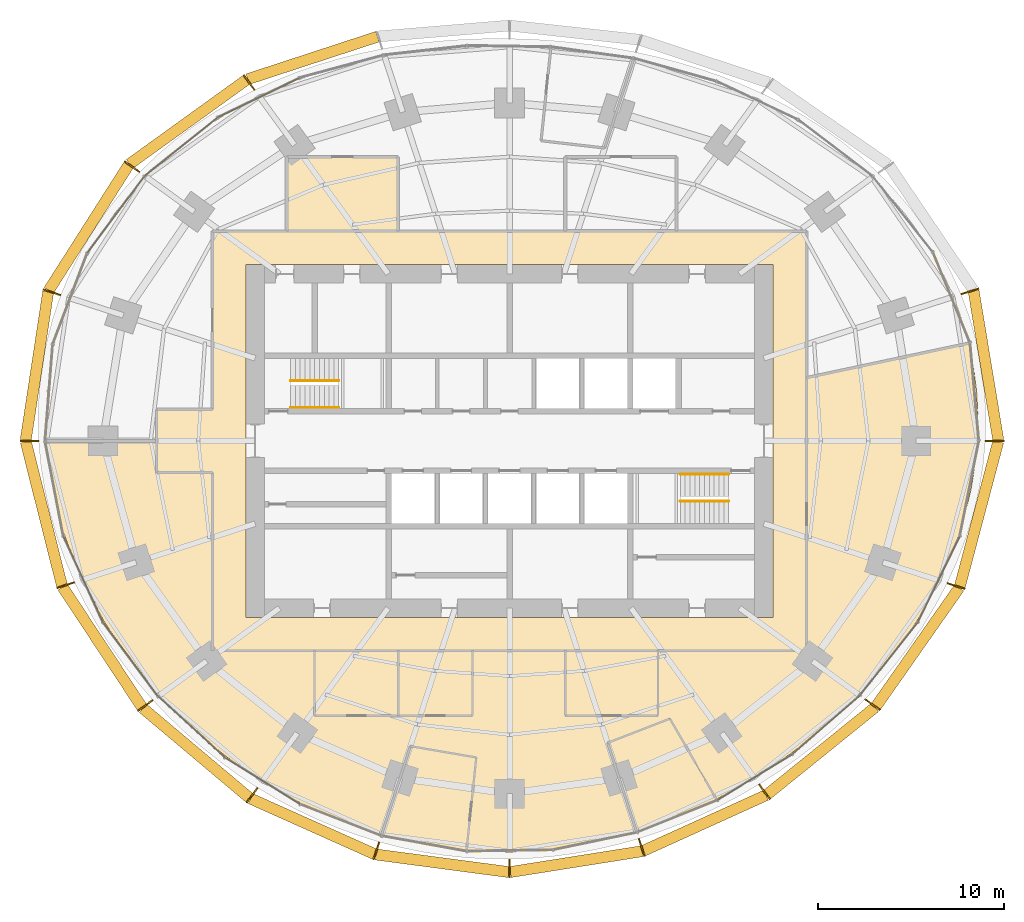
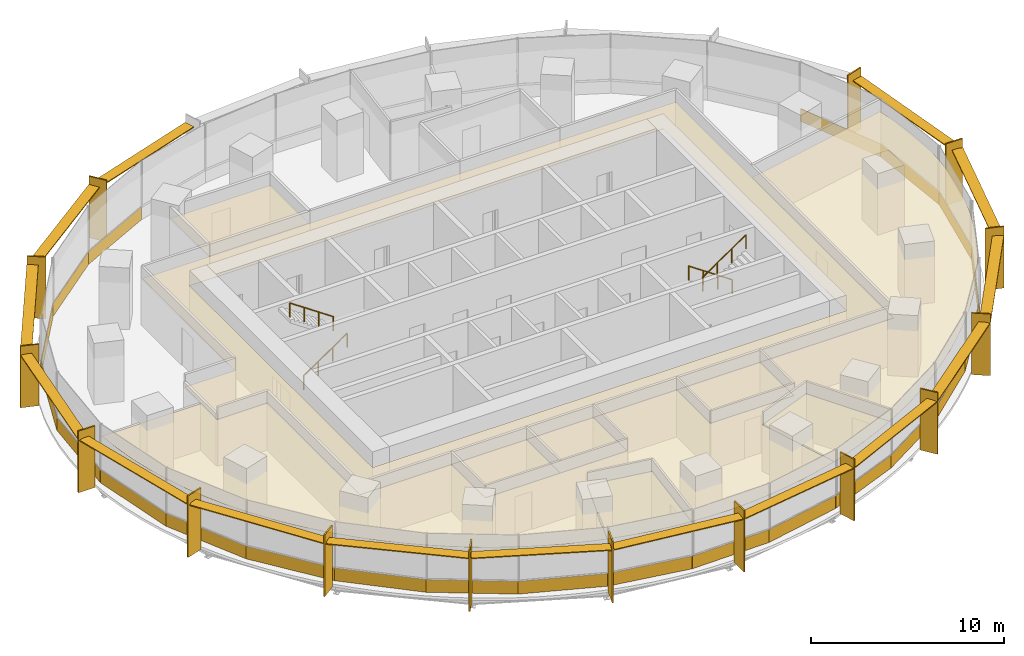
# One storey, part 13 of 14: 30 coverings, 30 shading devices, 4 railings.
"""IFC4 building model written with IfcOpenShell, lengths in metres."""

import ifcopenshell
import ifcopenshell.guid

model = None  # the IFC model being written
_history = None  # IfcOwnerHistory: only IFC2X3 demands one
_inside = {}  # id of a spatial element -> (the spatial element, [elements in it])
_under = {}  # id of a project, library or spatial element -> (it, [spatial elements below it])
_declared = {}  # id of a project -> (the project, [libraries it declares])
_typed = {}  # id of a type object -> (the type object, [elements of that type])
_made_of = {}  # id of a material, layer set ... -> (it, [elements and type objects made of it])


def new_model(schema):
    """Start an empty IFC model of exactly this schema.

    Asked for "IFC4X3", IfcOpenShell would pick the latest addendum, in which some entities
    have other attributes; the version numbers below select the first issue.
    IFC2X3 requires an IfcOwnerHistory on every rooted entity: one is made here for all.
    """
    global model, _history
    if schema == "IFC4X3":
        model = ifcopenshell.file(schema_version=(4, 3, 0, 0))
    else:
        model = ifcopenshell.file(schema=schema)
    _inside.clear()
    _under.clear()
    _declared.clear()
    _typed.clear()
    _made_of.clear()
    _history = None
    if model.schema == "IFC2X3":
        org = make("IfcOrganization", Name="unknown")
        user = make(
            "IfcPersonAndOrganization",
            ThePerson=make("IfcPerson", FamilyName="unknown"),
            TheOrganization=org,
        )
        app = make(
            "IfcApplication",
            ApplicationDeveloper=org,
            Version="unknown",
            ApplicationFullName="unknown",
            ApplicationIdentifier="unknown",
        )
        _history = make(
            "IfcOwnerHistory",
            OwningUser=user,
            OwningApplication=app,
            ChangeAction="ADDED",
            CreationDate=0,
        )
    return model


def make(cls, **values):
    """One entity of the class cls with the attributes given. An attribute that is None is left unset."""
    return model.create_entity(
        cls, **{name: value for name, value in values.items() if value is not None}
    )


def rooted(cls, **values):
    """An entity with a GlobalId (a new one), such as an element, a storey or a relation."""
    return make(cls, GlobalId=ifcopenshell.guid.new(), OwnerHistory=_history, **values)


def si_unit(unit_type, name, prefix=None):
    """IfcSIUnit, for example si_unit("LENGTHUNIT", "METRE", prefix="MILLI")."""
    return make("IfcSIUnit", UnitType=unit_type, Prefix=prefix, Name=name)


def assignment(units):
    """IfcUnitAssignment: the units of a project."""
    return None if units is None else make("IfcUnitAssignment", Units=units)


def point(xyz):
    """IfcCartesianPoint."""
    return None if xyz is None else make("IfcCartesianPoint", Coordinates=xyz)


def direction(xyz):
    """IfcDirection."""
    return None if xyz is None else make("IfcDirection", DirectionRatios=xyz)


def frame(location, z_axis=None, x_axis=None):
    """IfcAxis2Placement3D, a coordinate frame: its origin and axes. An axis left out is left unset."""
    return make(
        "IfcAxis2Placement3D",
        Location=point(location),
        Axis=direction(z_axis),
        RefDirection=direction(x_axis),
    )


def frame_2d(location, x_axis=None):
    """IfcAxis2Placement2D, a coordinate frame in the plane: its origin and x axis."""
    return make(
        "IfcAxis2Placement2D", Location=point(location), RefDirection=direction(x_axis)
    )


def origin():
    """The frame at (0, 0, 0) with its axes left unset."""
    return frame((0.0, 0.0, 0.0))


def origin_2d():
    """The frame at (0, 0) in the plane with its x axis left unset."""
    return frame_2d((0.0, 0.0))


def place(relative_to, where):
    """IfcLocalPlacement: puts the frame where relative to a parent placement (None: the world)."""
    return make(
        "IfcLocalPlacement", PlacementRelTo=relative_to, RelativePlacement=where
    )


def context(
    kind, dimensions, precision=None, world=None, true_north=None, identifier=None
):
    """IfcGeometricRepresentationContext, for example the 3D "Model" context."""
    return make(
        "IfcGeometricRepresentationContext",
        ContextIdentifier=identifier,
        ContextType=kind,
        CoordinateSpaceDimension=dimensions,
        Precision=precision,
        WorldCoordinateSystem=world,
        TrueNorth=true_north,
    )


def subcontext(parent, identifier, kind, view, scale=None):
    """IfcGeometricRepresentationSubContext, for example "Body" below "Model"."""
    return make(
        "IfcGeometricRepresentationSubContext",
        ContextIdentifier=identifier,
        ContextType=kind,
        ParentContext=parent,
        TargetScale=scale,
        TargetView=view,
    )


def project(units=None, contexts=None):
    """IfcProject with its units and contexts."""
    return rooted(
        "IfcProject",
        Name="project",
        RepresentationContexts=contexts,
        UnitsInContext=assignment(units),
    )


def spatial(cls, under=None, at=None, **own):
    """A site, building, storey or space (cls), placed at a placement, below another one or the project."""
    s = rooted(cls, ObjectPlacement=at, **own)
    if under is not None:
        _under.setdefault(under.id(), (under, []))[1].append(s)
    return s


def polyline(points):
    """IfcPolyline through the points."""
    return make("IfcPolyline", Points=[point(p) for p in points])


def profile(cls, at=None, kind="AREA", **sizes):
    """A parametric profile (cls). Its sizes go by their IFC names, for example OverallWidth=200.0."""
    return make(cls, ProfileType=kind, Position=at, **sizes)


def rectangle(**sizes):
    """IfcRectangleProfileDef."""
    return profile("IfcRectangleProfileDef", **sizes)


def circle(**sizes):
    """IfcCircleProfileDef."""
    return profile("IfcCircleProfileDef", **sizes)


def outline(outer, holes=None, kind="AREA"):
    """IfcArbitraryClosedProfileDef: a profile drawn as a closed curve; with holes, ...WithVoids."""
    if holes is None:
        return make("IfcArbitraryClosedProfileDef", ProfileType=kind, OuterCurve=outer)
    return make(
        "IfcArbitraryProfileDefWithVoids",
        ProfileType=kind,
        OuterCurve=outer,
        InnerCurves=holes,
    )


def extrude(swept, where, along, depth):
    """IfcExtrudedAreaSolid: the profile swept, set in the frame where, extruded along a direction by depth."""
    return make(
        "IfcExtrudedAreaSolid",
        SweptArea=swept,
        Position=where,
        ExtrudedDirection=direction(along),
        Depth=depth,
    )


def shape(context_of_items, identifier, shape_type, items):
    """IfcShapeRepresentation: the items that make up one representation, for example the "Body"."""
    return make(
        "IfcShapeRepresentation",
        ContextOfItems=context_of_items,
        RepresentationIdentifier=identifier,
        RepresentationType=shape_type,
        Items=items,
    )


def material(Name=None, Category=None):
    """IfcMaterial."""
    return make("IfcMaterial", Name=Name, Category=Category)


def layer(
    of_material, thickness, ventilated=None, Name=None, Category=None, Priority=None
):
    """IfcMaterialLayer: one layer of a wall or slab, of a material (None: an air gap)."""
    return make(
        "IfcMaterialLayer",
        Material=of_material,
        LayerThickness=thickness,
        IsVentilated=ventilated,
        Name=Name,
        Category=Category,
        Priority=Priority,
    )


def layer_set(layers, Name=None):
    """IfcMaterialLayerSet."""
    return make("IfcMaterialLayerSet", MaterialLayers=layers, LayerSetName=Name)


def made_of(thing, what):
    """Note that an element or type object is made of a material, layer set ...; save() writes the relation."""
    if what is not None:
        _made_of.setdefault(what.id(), (what, []))[1].append(thing)
    return thing


def type_object(cls, material=None, **own):
    """A type object (cls), such as IfcWallType, which elements share."""
    return made_of(rooted(cls, **own), material)


def element(
    cls,
    number,
    at=None,
    inside=None,
    cuts=None,
    type_object=None,
    material=None,
    context=None,
    identifier="Body",
    shape_type=None,
    held_by="IfcProductDefinitionShape",
    body=None,
    shapes=None,
    **own,
):
    """One element of the class cls, such as IfcWall. Its Tag is "e" and its number.

    at: its placement. inside: the storey or other place that contains it. cuts: it is an
    opening in that element (IfcRelVoidsElement). A single representation is given by context,
    identifier, shape_type and body (its items); several are given by shapes. held_by: the class
    of the entity that holds the representations. save() writes the other relations.
    """
    e = rooted(cls, Tag="e%d" % number, ObjectPlacement=at, **own)
    if body is not None:
        shapes = [shape(context, identifier, shape_type, body)]
    if shapes is not None:
        e.Representation = make(held_by, Representations=shapes)
    if inside is not None:
        _inside.setdefault(inside.id(), (inside, []))[1].append(e)
    if cuts is not None:
        rooted(
            "IfcRelVoidsElement", RelatingBuildingElement=cuts, RelatedOpeningElement=e
        )
    if type_object is not None:
        _typed.setdefault(type_object.id(), (type_object, []))[1].append(e)
    return made_of(e, material)


def aggregate(whole, parts):
    """IfcRelAggregates: a whole, such as a stair, and the parts it consists of."""
    return rooted("IfcRelAggregates", RelatingObject=whole, RelatedObjects=parts)


def save(model, path):
    """Write the relations noted so far, then the file.

    IfcRelAggregates (storeys below a building ...), IfcRelContainedInSpatialStructure (elements
    in a storey), IfcRelDefinesByType, IfcRelAssociatesMaterial and IfcRelDeclares: one each for
    every whole, place, type object, material and project.
    """
    for whole, parts in _under.values():
        aggregate(whole, parts)
    for where, things in _inside.values():
        rooted(
            "IfcRelContainedInSpatialStructure",
            RelatedElements=things,
            RelatingStructure=where,
        )
    for kind, things in _typed.values():
        rooted("IfcRelDefinesByType", RelatedObjects=things, RelatingType=kind)
    for what, things in _made_of.values():
        rooted("IfcRelAssociatesMaterial", RelatedObjects=things, RelatingMaterial=what)
    for by, libraries in _declared.values():
        rooted("IfcRelDeclares", RelatingContext=by, RelatedDefinitions=libraries)
    model.write(path)


model = new_model("IFC4")

# Units and contexts
model_context = context("Model", 3, precision=1e-05, world=origin(), true_north=direction((0.0, 1.0)))
body_context = subcontext(model_context, "Body", "Model", "MODEL_VIEW")
ifc_project = project(units=[si_unit("LENGTHUNIT", "METRE"), si_unit("AREAUNIT", "SQUARE_METRE"), si_unit("VOLUMEUNIT", "CUBIC_METRE"), si_unit("PLANEANGLEUNIT", "RADIAN"), si_unit("MASSUNIT", "GRAM", prefix="KILO")], contexts=[model_context])

# Site, building, storey
site_placement = place(None, origin())
site = spatial("IfcSite", under=ifc_project, at=site_placement, CompositionType="ELEMENT")
building_placement = place(site_placement, origin())
building = spatial("IfcBuilding", under=site, at=building_placement, Name="Marramba Exchange Tower", CompositionType="ELEMENT")
storey_placement = place(building_placement, frame((0.0, 0.0, 111.89990234375)))
storey = spatial("IfcBuildingStorey", under=building, at=storey_placement, Name="L26", CompositionType="ELEMENT", Elevation=111.89990234375)

# Shading devices
ifc_material_1 = material(Name="Aluminium blade, timber-look bronze finish", Category="wood")
ifc_layer_1 = layer(ifc_material_1, 0.080078125)
ifc_layer_set_1 = layer_set([ifc_layer_1], Name="Floor-edge blade 1000x80")
shading_device_type_1 = type_object("IfcShadingDeviceType", Name="Floor-edge blade 1000x80", PredefinedType="USERDEFINED", material=ifc_layer_set_1)
for number, where, z_axis, x_axis, name in (
    (1, (26.132080078125, 0.0, -0.159912109375), (0.0, 0.0, 1.0), (1.0, 0.0, 0.0), "Floor-edge blade FB1 L26 TC01"),
    (2, (24.798583984375, 8.0576171875, -0.159912109375), (0.0, 0.0, 1.0), (0.951056516295, 0.309016994375, 0.0), "Floor-edge blade FB1 L26 TC02"),
    (3, (-14.029296875, 19.3095703125, -0.159912109375), (0.0, 0.0, 1.0), (-0.587785252292, 0.809016994375, 0.0), "Floor-edge blade FB1 L26 TC08"),
    (4, (-20.33642578125, 14.775390625, -0.159912109375), (0.0, 0.0, 1.0), (-0.809016994375, 0.587785252292, 0.0), "Floor-edge blade FB1 L26 TC09"),
    (5, (-24.653076171875, 8.01025390625, -0.159912109375), (0.0, 0.0, 1.0), (-0.951056516295, 0.309016994375, 0.0), "Floor-edge blade FB1 L26 TC10"),
    (6, (-25.867919921875, 0.0, -0.159912109375), (0.0, 0.0, 1.0), (-1.0, 0.0, 0.0), "Floor-edge blade FB1 L26 TC11"),
    (7, (-23.90673828125, -7.767822265625, -0.159912109375), (0.0, 0.0, 1.0), (-0.951056516295, -0.309016994375, 0.0), "Floor-edge blade FB1 L26 TC12"),
    (8, (-19.618408203125, -14.253662109375, -0.159912109375), (0.0, 0.0, 1.0), (-0.809016994375, -0.587785252292, 0.0), "Floor-edge blade FB1 L26 TC13"),
    (9, (-13.866943359375, -19.08642578125, -0.159912109375), (0.0, 0.0, 1.0), (-0.587785252292, -0.809016994375, 0.0), "Floor-edge blade FB1 L26 TC14"),
    (10, (-7.173828125, -22.078857421875, -0.159912109375), (0.0, 0.0, 1.0), (-0.309016994375, -0.951056516295, 0.0), "Floor-edge blade FB1 L26 TC15"),
    (11, (0.0, -23.02685546875, -0.159912109375), (0.0, 0.0, 1.0), (0.0, -1.0, 0.0), "Floor-edge blade FB1 L26 TC16"),
    (12, (7.115966796875, -21.900634765625, -0.159912109375), (0.0, 0.0, 1.0), (0.309016994375, -0.951056516295, 0.0), "Floor-edge blade FB1 L26 TC17"),
    (13, (13.733154296875, -18.902099609375, -0.159912109375), (0.0, 0.0, 1.0), (0.587785252292, -0.809016994375, 0.0), "Floor-edge blade FB1 L26 TC18"),
    (14, (19.555908203125, -14.208251953125, -0.159912109375), (0.0, 0.0, 1.0), (0.809016994375, -0.587785252292, 0.0), "Floor-edge blade FB1 L26 TC19"),
    (15, (24.052001953125, -7.81494140625, -0.159912109375), (0.0, 0.0, 1.0), (0.951056516295, -0.309016994375, 0.0), "Floor-edge blade FB1 L26 TC20"),
):
    element("IfcShadingDevice", number, at=place(storey_placement, frame(where, z_axis=z_axis, x_axis=x_axis)), inside=storey, type_object=shading_device_type_1, Name=name, ObjectType="FIN", PredefinedType="USERDEFINED", context=body_context, shape_type="SweptSolid", body=[
        extrude(rectangle(XDim=1.0, YDim=0.080078125, at=origin_2d()), origin(), (0.0, 0.0, 1.0), 3.89990234375),
    ])
ifc_material_2 = material(Name="Aluminium sunshade, bronze anodised", Category="aluminium")
ifc_layer_2 = layer(ifc_material_2, 0.06005859375)
ifc_layer_set_2 = layer_set([ifc_layer_2], Name="SUNSHADE blade 600x60")
shading_device_type_2 = type_object("IfcShadingDeviceType", Name="SUNSHADE blade 600x60", PredefinedType="USERDEFINED", material=ifc_layer_set_2)
shading_device_1_placement = place(storey_placement, frame((25.660400390625, 4.0595703125, 3.16015625), z_axis=(0.0, 0.0, 1.0), x_axis=(-0.163227675764, 0.986588427798, 0.0)))
element("IfcShadingDevice", 16, at=shading_device_1_placement, inside=storey, type_object=shading_device_type_2, Name="Sunshade SS1 L26 bay 01", ObjectType="SUNSHADE", PredefinedType="USERDEFINED", context=body_context, shape_type="SweptSolid", body=[
    extrude(rectangle(XDim=8.149658203125, YDim=0.60009765625, at=origin_2d()), origin(), (0.0, 0.0, 1.0), 0.06005859375),
])
shading_device_2_placement = place(storey_placement, frame((-10.61279296875, 20.628662109375, 3.16015625), z_axis=(0.0, 0.0, 1.0), x_axis=(-0.950345637432, -0.311196351865, 0.0)))
element("IfcShadingDevice", 17, at=shading_device_2_placement, inside=storey, type_object=shading_device_type_2, Name="Sunshade SS1 L26 bay 07", ObjectType="SUNSHADE", PredefinedType="USERDEFINED", context=body_context, shape_type="SweptSolid", body=[
    extrude(rectangle(XDim=7.357421875, YDim=0.60009765625, at=origin_2d()), origin(), (0.0, 0.0, 1.0), 0.06005859375),
])
shading_device_3_placement = place(storey_placement, frame((-17.322509765625, 17.18212890625, 3.16015625), z_axis=(0.0, 0.0, 1.0), x_axis=(-0.811199164202, -0.584769968448, 0.0)))
element("IfcShadingDevice", 18, at=shading_device_3_placement, inside=storey, type_object=shading_device_type_2, Name="Sunshade SS1 L26 bay 08", ObjectType="SUNSHADE", PredefinedType="USERDEFINED", context=body_context, shape_type="SweptSolid", body=[
    extrude(rectangle(XDim=7.749755859375, YDim=0.60009765625, at=origin_2d()), origin(), (0.0, 0.0, 1.0), 0.06005859375),
])
shading_device_4_placement = place(storey_placement, frame((-22.6708984375, 11.482421875, 3.16015625), z_axis=(0.0, 0.0, 1.0), x_axis=(-0.537284770546, -0.843400898351, 0.0)))
element("IfcShadingDevice", 19, at=shading_device_4_placement, inside=storey, type_object=shading_device_type_2, Name="Sunshade SS1 L26 bay 09", ObjectType="SUNSHADE", PredefinedType="USERDEFINED", context=body_context, shape_type="SweptSolid", body=[
    extrude(rectangle(XDim=8.007080078125, YDim=0.60009765625, at=origin_2d()), origin(), (0.0, 0.0, 1.0), 0.06005859375),
])
shading_device_5_placement = place(storey_placement, frame((-25.455810546875, 4.0361328125, 3.16015625), z_axis=(0.0, 0.0, 1.0), x_axis=(-0.14999307077, -0.988687047918, 0.0)))
element("IfcShadingDevice", 20, at=shading_device_5_placement, inside=storey, type_object=shading_device_type_2, Name="Sunshade SS1 L26 bay 10", ObjectType="SUNSHADE", PredefinedType="USERDEFINED", context=body_context, shape_type="SweptSolid", body=[
    extrude(rectangle(XDim=8.08447265625, YDim=0.60009765625, at=origin_2d()), origin(), (0.0, 0.0, 1.0), 0.06005859375),
])
shading_device_6_placement = place(storey_placement, frame((-25.08251953125, -3.914794921875, 3.16015625), z_axis=(0.0, 0.0, 1.0), x_axis=(0.244116522902, -0.969745906537, 0.0)))
element("IfcShadingDevice", 21, at=shading_device_6_placement, inside=storey, type_object=shading_device_type_2, Name="Sunshade SS1 L26 bay 11", ObjectType="SUNSHADE", PredefinedType="USERDEFINED", context=body_context, shape_type="SweptSolid", body=[
    extrude(rectangle(XDim=7.993896484375, YDim=0.60009765625, at=origin_2d()), origin(), (0.0, 0.0, 1.0), 0.06005859375),
])
shading_device_7_placement = place(storey_placement, frame((-21.938720703125, -11.100341796875, 3.16015625), z_axis=(0.0, 0.0, 1.0), x_axis=(0.550792342935, -0.834642315585, 0.0)))
element("IfcShadingDevice", 22, at=shading_device_7_placement, inside=storey, type_object=shading_device_type_2, Name="Sunshade SS1 L26 bay 12", ObjectType="SUNSHADE", PredefinedType="USERDEFINED", context=body_context, shape_type="SweptSolid", body=[
    extrude(rectangle(XDim=7.757568359375, YDim=0.60009765625, at=origin_2d()), origin(), (0.0, 0.0, 1.0), 0.06005859375),
])
shading_device_8_placement = place(storey_placement, frame((-16.88232421875, -16.8095703125, 3.16015625), z_axis=(0.0, 0.0, 1.0), x_axis=(0.76513863304, -0.643865569998, 0.0)))
element("IfcShadingDevice", 23, at=shading_device_8_placement, inside=storey, type_object=shading_device_type_2, Name="Sunshade SS1 L26 bay 13", ObjectType="SUNSHADE", PredefinedType="USERDEFINED", context=body_context, shape_type="SweptSolid", body=[
    extrude(rectangle(XDim=7.49462890625, YDim=0.60009765625, at=origin_2d()), origin(), (0.0, 0.0, 1.0), 0.06005859375),
])
shading_device_9_placement = place(storey_placement, frame((-10.610107421875, -20.758544921875, 3.16015625), z_axis=(0.0, 0.0, 1.0), x_axis=(0.912735880581, -0.408550134377, 0.0)))
element("IfcShadingDevice", 24, at=shading_device_9_placement, inside=storey, type_object=shading_device_type_2, Name="Sunshade SS1 L26 bay 14", ObjectType="SUNSHADE", PredefinedType="USERDEFINED", context=body_context, shape_type="SweptSolid", body=[
    extrude(rectangle(XDim=7.314208984375, YDim=0.60009765625, at=origin_2d()), origin(), (0.0, 0.0, 1.0), 0.06005859375),
])
shading_device_10_placement = place(storey_placement, frame((-3.617919921875, -22.748046875, 3.16015625), z_axis=(0.0, 0.0, 1.0), x_axis=(0.991350478855, -0.131241106646, 0.0)))
element("IfcShadingDevice", 25, at=shading_device_10_placement, inside=storey, type_object=shading_device_type_2, Name="Sunshade SS1 L26 bay 15", ObjectType="SUNSHADE", PredefinedType="USERDEFINED", context=body_context, shape_type="SweptSolid", body=[
    extrude(rectangle(XDim=7.21875, YDim=0.60009765625, at=origin_2d()), origin(), (0.0, 0.0, 1.0), 0.06005859375),
])
shading_device_11_placement = place(storey_placement, frame((3.5888671875, -22.658935546875, 3.16015625), z_axis=(0.0, 0.0, 1.0), x_axis=(0.987704817912, 0.15633039587, 0.0)))
element("IfcShadingDevice", 26, at=shading_device_11_placement, inside=storey, type_object=shading_device_type_2, Name="Sunshade SS1 L26 bay 16", ObjectType="SUNSHADE", PredefinedType="USERDEFINED", context=body_context, shape_type="SweptSolid", body=[
    extrude(rectangle(XDim=7.18701171875, YDim=0.60009765625, at=origin_2d()), origin(), (0.0, 0.0, 1.0), 0.06005859375),
])
shading_device_12_placement = place(storey_placement, frame((10.514404296875, -20.577392578125, 3.16015625), z_axis=(0.0, 0.0, 1.0), x_axis=(0.910692240548, 0.413085515366, 0.0)))
element("IfcShadingDevice", 27, at=shading_device_12_placement, inside=storey, type_object=shading_device_type_2, Name="Sunshade SS1 L26 bay 17", ObjectType="SUNSHADE", PredefinedType="USERDEFINED", context=body_context, shape_type="SweptSolid", body=[
    extrude(rectangle(XDim=7.24755859375, YDim=0.60009765625, at=origin_2d()), origin(), (0.0, 0.0, 1.0), 0.06005859375),
])
shading_device_13_placement = place(storey_placement, frame((16.7841796875, -16.69482421875, 3.16015625), z_axis=(0.0, 0.0, 1.0), x_axis=(0.777962439436, 0.628310785223, 0.0)))
element("IfcShadingDevice", 28, at=shading_device_13_placement, inside=storey, type_object=shading_device_type_2, Name="Sunshade SS1 L26 bay 18", ObjectType="SUNSHADE", PredefinedType="USERDEFINED", context=body_context, shape_type="SweptSolid", body=[
    extrude(rectangle(XDim=7.46142578125, YDim=0.60009765625, at=origin_2d()), origin(), (0.0, 0.0, 1.0), 0.06005859375),
])
shading_device_14_placement = place(storey_placement, frame((21.97998046875, -11.101318359375, 3.16015625), z_axis=(0.0, 0.0, 1.0), x_axis=(0.574350885858, 0.818609222959, 0.0)))
element("IfcShadingDevice", 29, at=shading_device_14_placement, inside=storey, type_object=shading_device_type_2, Name="Sunshade SS1 L26 bay 19", ObjectType="SUNSHADE", PredefinedType="USERDEFINED", context=body_context, shape_type="SweptSolid", body=[
    extrude(rectangle(XDim=7.7978515625, YDim=0.60009765625, at=origin_2d()), origin(), (0.0, 0.0, 1.0), 0.06005859375),
])
shading_device_15_placement = place(storey_placement, frame((25.287109375, -3.9384765625, 3.16015625), z_axis=(0.0, 0.0, 1.0), x_axis=(0.256422950151, 0.966564674833, 0.0)))
element("IfcShadingDevice", 30, at=shading_device_15_placement, inside=storey, type_object=shading_device_type_2, Name="Sunshade SS1 L26 bay 20", ObjectType="SUNSHADE", PredefinedType="USERDEFINED", context=body_context, shape_type="SweptSolid", body=[
    extrude(rectangle(XDim=8.0693359375, YDim=0.60009765625, at=origin_2d()), origin(), (0.0, 0.0, 1.0), 0.06005859375),
])

# Coverings
ifc_material_3 = material(Name="Aluminium spandrel panel, bronze anodised, insulated", Category="aluminium")
ifc_layer_3 = layer(ifc_material_3, 0.050048828125)
ifc_layer_set_3 = layer_set([ifc_layer_3], Name="Spandrel panel 800")
covering_type_1 = type_object("IfcCoveringType", Name="Spandrel panel 800", PredefinedType="CLADDING", material=ifc_layer_set_3)
covering_1_placement = place(storey_placement, frame((25.04541015625, 2.63671875, 0.0), z_axis=(0.0, 0.0, 1.0), x_axis=(-0.089412890131, 0.995994646109, 0.0)))
element("IfcCovering", 31, at=covering_1_placement, inside=storey, type_object=covering_type_1, Name="Spandrel panel SP1 L26 F01", PredefinedType="CLADDING", context=body_context, shape_type="SweptSolid", body=[
    extrude(rectangle(XDim=5.29443359375, YDim=0.050048828125, at=origin_2d()), origin(), (0.0, 0.0, 1.0), 0.800048828125),
])
covering_2_placement = place(storey_placement, frame((23.81201171875, 7.715576171875, 0.0), z_axis=(0.0, 0.0, 1.0), x_axis=(-0.377821185272, 0.925878583811, 0.0)))
element("IfcCovering", 32, at=covering_2_placement, inside=storey, type_object=covering_type_1, Name="Spandrel panel SP1 L26 F02", PredefinedType="CLADDING", context=body_context, shape_type="SweptSolid", body=[
    extrude(rectangle(XDim=5.27587890625, YDim=0.050048828125, at=origin_2d()), origin(), (0.0, 0.0, 1.0), 0.800048828125),
])
covering_3_placement = place(storey_placement, frame((-13.49609375, 18.498291015625, 0.0), z_axis=(0.0, 0.0, 1.0), x_axis=(-0.900223736484, -0.435427633794, 0.0)))
element("IfcCovering", 33, at=covering_3_placement, inside=storey, type_object=covering_type_1, Name="Spandrel panel SP1 L26 F11", PredefinedType="CLADDING", context=body_context, shape_type="SweptSolid", body=[
    extrude(rectangle(XDim=4.890625, YDim=0.050048828125, at=origin_2d()), origin(), (0.0, 0.0, 1.0), 0.800048828125),
])
covering_4_placement = place(storey_placement, frame((-17.673095703125, 15.854736328125, 0.0), z_axis=(0.0, 0.0, 1.0), x_axis=(-0.781178328369, -0.624307952285, 0.0)))
element("IfcCovering", 34, at=covering_4_placement, inside=storey, type_object=covering_type_1, Name="Spandrel panel SP1 L26 F12", PredefinedType="CLADDING", context=body_context, shape_type="SweptSolid", body=[
    extrude(rectangle(XDim=5.058349609375, YDim=0.050048828125, at=origin_2d()), origin(), (0.0, 0.0, 1.0), 0.800048828125),
])
covering_5_placement = place(storey_placement, frame((-21.19580078125, 12.20068359375, 0.0), z_axis=(0.0, 0.0, 1.0), x_axis=(-0.597703998161, -0.801716864349, 0.0)))
element("IfcCovering", 35, at=covering_5_placement, inside=storey, type_object=covering_type_1, Name="Spandrel panel SP1 L26 F13", PredefinedType="CLADDING", context=body_context, shape_type="SweptSolid", body=[
    extrude(rectangle(XDim=5.17626953125, YDim=0.050048828125, at=origin_2d()), origin(), (0.0, 0.0, 1.0), 0.800048828125),
])
covering_6_placement = place(storey_placement, frame((-23.671875, 7.677490234375, 0.0), z_axis=(0.0, 0.0, 1.0), x_axis=(-0.354844476365, -0.934925343326, 0.0)))
element("IfcCovering", 36, at=covering_6_placement, inside=storey, type_object=covering_type_1, Name="Spandrel panel SP1 L26 F14", PredefinedType="CLADDING", context=body_context, shape_type="SweptSolid", body=[
    extrude(rectangle(XDim=5.2373046875, YDim=0.050048828125, at=origin_2d()), origin(), (0.0, 0.0, 1.0), 0.800048828125),
])
covering_7_placement = place(storey_placement, frame((-24.8095703125, 2.614501953125, 0.0), z_axis=(0.0, 0.0, 1.0), x_axis=(-0.079459700697, -0.996838079111, 0.0)))
element("IfcCovering", 37, at=covering_7_placement, inside=storey, type_object=covering_type_1, Name="Spandrel panel SP1 L26 F15", PredefinedType="CLADDING", context=body_context, shape_type="SweptSolid", body=[
    extrude(rectangle(XDim=5.245849609375, YDim=0.050048828125, at=origin_2d()), origin(), (0.0, 0.0, 1.0), 0.800048828125),
])
covering_8_placement = place(storey_placement, frame((-24.5283203125, -2.5546875, 0.0), z_axis=(0.0, 0.0, 1.0), x_axis=(0.188227222909, -0.982125507538, 0.0)))
element("IfcCovering", 38, at=covering_8_placement, inside=storey, type_object=covering_type_1, Name="Spandrel panel SP1 L26 F16", PredefinedType="CLADDING", context=body_context, shape_type="SweptSolid", body=[
    extrude(rectangle(XDim=5.20263671875, YDim=0.050048828125, at=origin_2d()), origin(), (0.0, 0.0, 1.0), 0.800048828125),
])
covering_9_placement = place(storey_placement, frame((-22.973876953125, -7.43212890625, 0.0), z_axis=(0.0, 0.0, 1.0), x_axis=(0.416737850896, -0.909026712275, 0.0)))
element("IfcCovering", 39, at=covering_9_placement, inside=storey, type_object=covering_type_1, Name="Spandrel panel SP1 L26 F17", PredefinedType="CLADDING", context=body_context, shape_type="SweptSolid", body=[
    extrude(rectangle(XDim=5.10986328125, YDim=0.050048828125, at=origin_2d()), origin(), (0.0, 0.0, 1.0), 0.800048828125),
])
covering_10_placement = place(storey_placement, frame((-20.419921875, -11.75439453125, 0.0), z_axis=(0.0, 0.0, 1.0), x_axis=(0.597304701232, -0.802014397555, 0.0)))
element("IfcCovering", 40, at=covering_10_placement, inside=storey, type_object=covering_type_1, Name="Spandrel panel SP1 L26 F18", PredefinedType="CLADDING", context=body_context, shape_type="SweptSolid", body=[
    extrude(rectangle(XDim=4.986572265625, YDim=0.050048828125, at=origin_2d()), origin(), (0.0, 0.0, 1.0), 0.800048828125),
])
covering_11_placement = place(storey_placement, frame((-17.135986328125, -15.39599609375, 0.0), z_axis=(0.0, 0.0, 1.0), x_axis=(0.737821889246, -0.674995451651, 0.0)))
element("IfcCovering", 41, at=covering_11_placement, inside=storey, type_object=covering_type_1, Name="Spandrel panel SP1 L26 F19", PredefinedType="CLADDING", context=body_context, shape_type="SweptSolid", body=[
    extrude(rectangle(XDim=4.865234375, YDim=0.050048828125, at=origin_2d()), origin(), (0.0, 0.0, 1.0), 0.800048828125),
])
covering_12_placement = place(storey_placement, frame((-13.31787109375, -18.300537109375, 0.0), z_axis=(0.0, 0.0, 1.0), x_axis=(0.848354599309, -0.529428440708, 0.0)))
element("IfcCovering", 42, at=covering_12_placement, inside=storey, type_object=covering_type_1, Name="Spandrel panel SP1 L26 F20", PredefinedType="CLADDING", context=body_context, shape_type="SweptSolid", body=[
    extrude(rectangle(XDim=4.76953125, YDim=0.050048828125, at=origin_2d()), origin(), (0.0, 0.0, 1.0), 0.800048828125),
])
covering_13_placement = place(storey_placement, frame((-9.10302734375, -20.416748046875, 0.0), z_axis=(0.0, 0.0, 1.0), x_axis=(0.931818387481, -0.362924913381, 0.0)))
element("IfcCovering", 43, at=covering_13_placement, inside=storey, type_object=covering_type_1, Name="Spandrel panel SP1 L26 F21", PredefinedType="CLADDING", context=body_context, shape_type="SweptSolid", body=[
    extrude(rectangle(XDim=4.704345703125, YDim=0.050048828125, at=origin_2d()), origin(), (0.0, 0.0, 1.0), 0.800048828125),
])
covering_14_placement = place(storey_placement, frame((-4.616943359375, -21.685302734375, 0.0), z_axis=(0.0, 0.0, 1.0), x_axis=(0.984031866928, -0.177992373069, 0.0)))
element("IfcCovering", 44, at=covering_14_placement, inside=storey, type_object=covering_type_1, Name="Spandrel panel SP1 L26 F22", PredefinedType="CLADDING", context=body_context, shape_type="SweptSolid", body=[
    extrude(rectangle(XDim=4.662841796875, YDim=0.050048828125, at=origin_2d()), origin(), (0.0, 0.0, 1.0), 0.800048828125),
])
covering_15_placement = place(storey_placement, frame((-0.003662109375, -22.065185546875, 0.0), z_axis=(0.0, 0.0, 1.0), x_axis=(0.999884797651, 0.015178650325, 0.0)))
element("IfcCovering", 45, at=covering_15_placement, inside=storey, type_object=covering_type_1, Name="Spandrel panel SP1 L26 F23", PredefinedType="CLADDING", context=body_context, shape_type="SweptSolid", body=[
    extrude(rectangle(XDim=4.638916015625, YDim=0.050048828125, at=origin_2d()), origin(), (0.0, 0.0, 1.0), 0.800048828125),
])
covering_16_placement = place(storey_placement, frame((4.58447265625, -21.56103515625, 0.0), z_axis=(0.0, 0.0, 1.0), x_axis=(0.979310200528, 0.202364846604, 0.0)))
element("IfcCovering", 46, at=covering_16_placement, inside=storey, type_object=covering_type_1, Name="Spandrel panel SP1 L26 F24", PredefinedType="CLADDING", context=body_context, shape_type="SweptSolid", body=[
    extrude(rectangle(XDim=4.6337890625, YDim=0.050048828125, at=origin_2d()), origin(), (0.0, 0.0, 1.0), 0.800048828125),
])
covering_17_placement = place(storey_placement, frame((9.014892578125, -20.225341796875, 0.0), z_axis=(0.0, 0.0, 1.0), x_axis=(0.928148914987, 0.372209069755, 0.0)))
element("IfcCovering", 47, at=covering_17_placement, inside=storey, type_object=covering_type_1, Name="Spandrel panel SP1 L26 F25", PredefinedType="CLADDING", context=body_context, shape_type="SweptSolid", body=[
    extrude(rectangle(XDim=4.657958984375, YDim=0.050048828125, at=origin_2d()), origin(), (0.0, 0.0, 1.0), 0.800048828125),
])
covering_18_placement = place(storey_placement, frame((13.193115234375, -18.125244140625, 0.0), z_axis=(0.0, 0.0, 1.0), x_axis=(0.853109118827, 0.521732528576, 0.0)))
element("IfcCovering", 48, at=covering_18_placement, inside=storey, type_object=covering_type_1, Name="Spandrel panel SP1 L26 F26", PredefinedType="CLADDING", context=body_context, shape_type="SweptSolid", body=[
    extrude(rectangle(XDim=4.7275390625, YDim=0.050048828125, at=origin_2d()), origin(), (0.0, 0.0, 1.0), 0.800048828125),
])
covering_19_placement = place(storey_placement, frame((17.038818359375, -15.30029296875, 0.0), z_axis=(0.0, 0.0, 1.0), x_axis=(0.754385510875, 0.656431642277, 0.0)))
element("IfcCovering", 49, at=covering_19_placement, inside=storey, type_object=covering_type_1, Name="Spandrel panel SP1 L26 F27", PredefinedType="CLADDING", context=body_context, shape_type="SweptSolid", body=[
    extrude(rectangle(XDim=4.849609375, YDim=0.050048828125, at=origin_2d()), origin(), (0.0, 0.0, 1.0), 0.800048828125),
])
covering_20_placement = place(storey_placement, frame((20.425048828125, -11.747802734375, 0.0), z_axis=(0.0, 0.0, 1.0), x_axis=(0.621807470279, 0.783170141097, 0.0)))
element("IfcCovering", 50, at=covering_20_placement, inside=storey, type_object=covering_type_1, Name="Spandrel panel SP1 L26 F28", PredefinedType="CLADDING", context=body_context, shape_type="SweptSolid", body=[
    extrude(rectangle(XDim=5.00732421875, YDim=0.050048828125, at=origin_2d()), origin(), (0.0, 0.0, 1.0), 0.800048828125),
])
covering_21_placement = place(storey_placement, frame((23.114013671875, -7.47021484375, 0.0), z_axis=(0.0, 0.0, 1.0), x_axis=(0.439086346903, 0.898444867515, 0.0)))
element("IfcCovering", 51, at=covering_21_placement, inside=storey, type_object=covering_type_1, Name="Spandrel panel SP1 L26 F29", PredefinedType="CLADDING", context=body_context, shape_type="SweptSolid", body=[
    extrude(rectangle(XDim=5.156982421875, YDim=0.050048828125, at=origin_2d()), origin(), (0.0, 0.0, 1.0), 0.800048828125),
])
covering_22_placement = place(storey_placement, frame((24.76416015625, -2.576904296875, 0.0), z_axis=(0.0, 0.0, 1.0), x_axis=(0.197048514193, 0.980393738788, 0.0)))
element("IfcCovering", 52, at=covering_22_placement, inside=storey, type_object=covering_type_1, Name="Spandrel panel SP1 L26 F30", PredefinedType="CLADDING", context=body_context, shape_type="SweptSolid", body=[
    extrude(rectangle(XDim=5.2568359375, YDim=0.050048828125, at=origin_2d()), origin(), (0.0, 0.0, 1.0), 0.800048828125),
])

# Railings
ifc_material_4 = material(Name="Stainless steel handrail", Category="steel")
railing_type = type_object("IfcRailingType", Name="Stair handrail 900", PredefinedType="HANDRAIL", material=ifc_material_4)
railing_1_placement = place(storey_placement, frame((-11.800048828125, 1.800048828125, 0.177490234375)))
element("IfcRailing", 53, at=railing_1_placement, inside=storey, type_object=railing_type, Name="Handrail HR1 ST1 L26 flight 1", PredefinedType="HANDRAIL", context=body_context, shape_type="SweptSolid", body=[
    extrude(circle(Radius=0.02392578125, at=origin_2d()), frame((0.0, 0.0, 0.8759765625), z_axis=(0.826240473404, 0.0, 0.563317565952), x_axis=(0.0, 1.0, 0.0)), (0.0, 0.0, 1.0), 3.14697265625),
    extrude(circle(Radius=0.02099609375, at=origin_2d()), origin(), (0.0, 0.0, 1.0), 0.851806640625),
    extrude(circle(Radius=0.02099609375, at=origin_2d()), frame((0.86669921875, 0.0, 0.5908203125)), (0.0, 0.0, 1.0), 0.851806640625),
    extrude(circle(Radius=0.02099609375, at=origin_2d()), frame((1.7333984375, 0.0, 1.181884765625)), (0.0, 0.0, 1.0), 0.851806640625),
    extrude(circle(Radius=0.02099609375, at=origin_2d()), frame((2.60009765625, 0.0, 1.772705078125)), (0.0, 0.0, 1.0), 0.851806640625),
])
for number, where, name in (
    (54, (-9.199951171875, 3.25, 2.12744140625), "Handrail HR1 ST1 L26 flight 2"),
    (55, (11.800048828125, -1.800048828125, 0.177490234375), "Handrail HR1 ST2 L26 flight 1"),
):
    element("IfcRailing", number, at=place(storey_placement, frame(where)), inside=storey, type_object=railing_type, Name=name, PredefinedType="HANDRAIL", context=body_context, shape_type="SweptSolid", body=[
        extrude(circle(Radius=0.02392578125, at=origin_2d()), frame((0.0, 0.0, 0.8759765625), z_axis=(-0.826240473404, 0.0, 0.563317565952), x_axis=(0.0, -1.0, 0.0)), (0.0, 0.0, 1.0), 3.14697265625),
        extrude(circle(Radius=0.02099609375, at=origin_2d()), origin(), (0.0, 0.0, 1.0), 0.851806640625),
        extrude(circle(Radius=0.02099609375, at=origin_2d()), frame((-0.86669921875, 0.0, 0.5908203125)), (0.0, 0.0, 1.0), 0.851806640625),
        extrude(circle(Radius=0.02099609375, at=origin_2d()), frame((-1.7333984375, 0.0, 1.181884765625)), (0.0, 0.0, 1.0), 0.851806640625),
        extrude(circle(Radius=0.02099609375, at=origin_2d()), frame((-2.60009765625, 0.0, 1.772705078125)), (0.0, 0.0, 1.0), 0.851806640625),
    ])
railing_2_placement = place(storey_placement, frame((9.199951171875, -3.25, 2.12744140625)))
element("IfcRailing", 56, at=railing_2_placement, inside=storey, type_object=railing_type, Name="Handrail HR1 ST2 L26 flight 2", PredefinedType="HANDRAIL", context=body_context, shape_type="SweptSolid", body=[
    extrude(circle(Radius=0.02392578125, at=origin_2d()), frame((0.0, 0.0, 0.8759765625), z_axis=(0.826240473404, 0.0, 0.563317565952), x_axis=(0.0, 1.0, 0.0)), (0.0, 0.0, 1.0), 3.14697265625),
    extrude(circle(Radius=0.02099609375, at=origin_2d()), origin(), (0.0, 0.0, 1.0), 0.851806640625),
    extrude(circle(Radius=0.02099609375, at=origin_2d()), frame((0.86669921875, 0.0, 0.5908203125)), (0.0, 0.0, 1.0), 0.851806640625),
    extrude(circle(Radius=0.02099609375, at=origin_2d()), frame((1.7333984375, 0.0, 1.181884765625)), (0.0, 0.0, 1.0), 0.851806640625),
    extrude(circle(Radius=0.02099609375, at=origin_2d()), frame((2.60009765625, 0.0, 1.772705078125)), (0.0, 0.0, 1.0), 0.851806640625),
])

# Coverings
ifc_material_5 = material(Name="Mineral fibre ceiling tiles", Category="gypsum")
ifc_layer_4 = layer(ifc_material_5, 0.02001953125)
ifc_layer_set_4 = layer_set([ifc_layer_4], Name="Suspended ceiling 20")
covering_type_2 = type_object("IfcCoveringType", Name="Suspended ceiling 20", PredefinedType="CEILING", material=ifc_layer_set_4)
covering_23_placement = place(storey_placement, frame((0.0, 0.0, 2.900146484375)))
element("IfcCovering", 57, at=covering_23_placement, inside=storey, type_object=covering_type_2, Name="Ceiling CL1 L26 Open Plan Office 1", PredefinedType="CEILING", context=body_context, shape_type="SweptSolid", body=[
    extrude(outline(polyline([(-16.0, -1.699951171875), (-16.0, -11.300048828125), (-10.5, -11.300048828125), (-10.5, -14.800048828125), (-6.0, -14.800048828125), (-2.0, -14.800048828125), (-2.0, -11.300048828125), (3.0, -11.300048828125), (3.0, -14.800048828125), (8.0, -14.800048828125), (8.0, -11.300048828125), (16.0, -11.300048828125), (16.0, 3.40087890625), (24.73046875, 5.256591796875), (24.99560546875, 3.958984375), (25.16259765625, 2.644775390625), (25.231201171875, 1.322265625), (25.201904296875, 0.0), (25.077392578125, -1.314208984375), (24.8603515625, -2.61279296875), (24.555419921875, -3.88916015625), (24.16796875, -5.136962890625), (23.703125, -6.351318359375), (23.16748046875, -7.527587890625), (22.5673828125, -8.662841796875), (21.90869140625, -9.75439453125), (21.197509765625, -10.80078125), (20.439697265625, -11.80078125), (19.64013671875, -12.75439453125), (18.803466796875, -13.66162109375), (17.93359375, -14.5224609375), (17.033935546875, -15.33740234375), (16.107421875, -16.107421875), (15.156005859375, -16.83251953125), (14.181884765625, -17.51318359375), (13.1865234375, -18.14990234375), (12.171142578125, -18.741943359375), (11.13671875, -19.289306640625), (8.63671875, -14.958984375), (5.283447265625, -16.260986328125), (6.82861328125, -21.01611328125), (5.714599609375, -21.3271484375), (4.58837890625, -21.587158203125), (3.4521484375, -21.79541015625), (2.30712890625, -21.950439453125), (1.15576171875, -22.05126953125), (0.0, -22.096923828125), (-1.157470703125, -22.0869140625), (-2.314453125, -22.020751953125), (-1.791748046875, -17.048095703125), (-5.34130859375, -16.439208984375), (-6.886474609375, -21.1943359375), (-6.886474609375, -21.1943359375), (-8.00341796875, -20.84912109375), (-9.10498046875, -20.4501953125), (-10.189453125, -19.997802734375), (-11.2548828125, -19.493896484375), (-12.299072265625, -18.938720703125), (-13.3203125, -18.333984375), (-14.317138671875, -17.68017578125), (-15.28759765625, -16.978515625), (-16.229736328125, -16.229736328125), (-17.1416015625, -15.434326171875), (-18.021240234375, -14.59326171875), (-18.865966796875, -13.706787109375), (-19.673095703125, -12.77587890625), (-20.439697265625, -11.80078125), (-21.162109375, -10.78271484375), (-21.836181640625, -9.72216796875), (-22.457763671875, -8.62060546875), (-23.022216796875, -7.48046875), (-23.52490234375, -6.303466796875), (-23.96044921875, -5.093017578125), (-24.32421875, -3.8525390625), (-24.611083984375, -2.586669921875), (-24.81689453125, -1.300537109375), (-24.93798828125, 0.0), (-19.0, 0.0), (-19.0, -1.699951171875), (-16.0, -1.699951171875)])), origin(), (0.0, 0.0, 1.0), 0.02001953125),
])
covering_24_placement = place(storey_placement, frame((0.0, 0.0, 2.900146484375)))
element("IfcCovering", 58, at=covering_24_placement, inside=storey, type_object=covering_type_2, Name="Ceiling CL1 L26 Corridor", PredefinedType="CEILING", context=body_context, shape_type="SweptSolid", body=[
    extrude(outline(polyline([(-16.0, 11.300048828125), (16.0, 11.300048828125), (16.0, -11.300048828125), (-16.0, -11.300048828125), (-16.0, -1.699951171875), (-19.0, -1.699951171875), (-19.0, 1.699951171875), (-16.0, 1.699951171875), (-16.0, 11.300048828125)]), holes=[polyline([(14.199951171875, 9.5), (-14.199951171875, 9.5), (-14.199951171875, 1.699951171875), (-14.199951171875, -1.699951171875), (-14.199951171875, -9.5), (14.199951171875, -9.5), (14.199951171875, 9.5)])]), origin(), (0.0, 0.0, 1.0), 0.02001953125),
])
covering_25_placement = place(storey_placement, frame((0.0, 0.0, 2.900146484375)))
element("IfcCovering", 59, at=covering_25_placement, inside=storey, type_object=covering_type_2, Name="Ceiling CL1 L26 Office 1", PredefinedType="CEILING", context=body_context, shape_type="SweptSolid", body=[
    extrude(outline(polyline([(10.083984375, -19.791259765625), (9.853515625, -19.889404296875), (9.0146484375, -20.2470703125), (7.928955078125, -20.65576171875), (6.82861328125, -21.01611328125), (5.283447265625, -16.260986328125), (8.63671875, -14.958984375), (11.13671875, -19.289306640625), (10.083984375, -19.791259765625)])), origin(), (0.0, 0.0, 1.0), 0.02001953125),
])
covering_26_placement = place(storey_placement, frame((0.0, 0.0, 2.900146484375)))
element("IfcCovering", 60, at=covering_26_placement, inside=storey, type_object=covering_type_2, Name="Ceiling CL1 L26 Office 2", PredefinedType="CEILING", context=body_context, shape_type="SweptSolid", body=[
    extrude(outline(polyline([(-3.468505859375, -21.898193359375), (-4.61669921875, -21.719482421875), (-5.07666015625, -21.624755859375), (-5.7568359375, -21.484619140625), (-6.11279296875, -21.393310546875), (-6.886474609375, -21.1943359375), (-5.34130859375, -16.439208984375), (-1.791748046875, -17.048095703125), (-2.314453125, -22.020751953125), (-3.468505859375, -21.898193359375)])), origin(), (0.0, 0.0, 1.0), 0.02001953125),
])
covering_27_placement = place(storey_placement, frame((0.0, 0.0, 2.900146484375)))
element("IfcCovering", 61, at=covering_27_placement, inside=storey, type_object=covering_type_2, Name="Ceiling CL1 L26 Pantry 1", PredefinedType="CEILING", context=body_context, shape_type="SweptSolid", body=[
    extrude(outline(polyline([(8.0, -14.800048828125), (3.0, -14.800048828125), (3.0, -11.300048828125), (8.0, -11.300048828125), (8.0, -14.800048828125)])), origin(), (0.0, 0.0, 1.0), 0.02001953125),
])
covering_28_placement = place(storey_placement, frame((0.0, 0.0, 2.900146484375)))
element("IfcCovering", 62, at=covering_28_placement, inside=storey, type_object=covering_type_2, Name="Ceiling CL1 L26 Meeting Room 2", PredefinedType="CEILING", context=body_context, shape_type="SweptSolid", body=[
    extrude(outline(polyline([(-6.0, 11.300048828125), (-12.0, 11.300048828125), (-12.0, 15.300048828125), (-6.0, 15.300048828125), (-6.0, 11.300048828125)])), origin(), (0.0, 0.0, 1.0), 0.02001953125),
])
covering_29_placement = place(storey_placement, frame((0.0, 0.0, 2.900146484375)))
element("IfcCovering", 63, at=covering_29_placement, inside=storey, type_object=covering_type_2, Name="Ceiling CL1 L26 Pantry 2", PredefinedType="CEILING", context=body_context, shape_type="SweptSolid", body=[
    extrude(outline(polyline([(-6.0, -14.800048828125), (-10.5, -14.800048828125), (-10.5, -11.300048828125), (-6.0, -11.300048828125), (-6.0, -14.800048828125)])), origin(), (0.0, 0.0, 1.0), 0.02001953125),
])
covering_30_placement = place(storey_placement, frame((0.0, 0.0, 2.900146484375)))
element("IfcCovering", 64, at=covering_30_placement, inside=storey, type_object=covering_type_2, Name="Ceiling CL1 L26 Print Room", PredefinedType="CEILING", context=body_context, shape_type="SweptSolid", body=[
    extrude(outline(polyline([(-2.0, -14.800048828125), (-6.0, -14.800048828125), (-6.0, -11.300048828125), (-2.0, -11.300048828125), (-2.0, -14.800048828125)])), origin(), (0.0, 0.0, 1.0), 0.02001953125),
])

save(model, "model.ifc")
